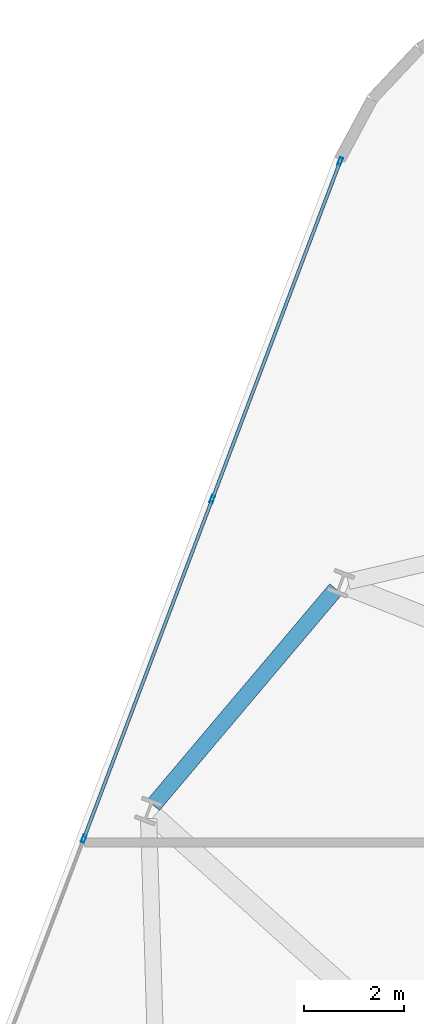
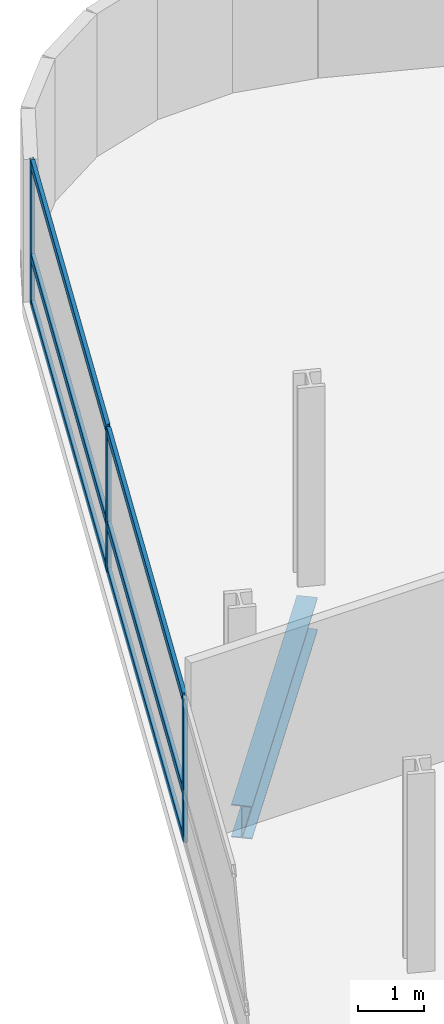
# One storey, part 8 of 25: 9 members, 1 beam, 1 element without a shape of its own.
"""IFC4 building model written with IfcOpenShell, lengths in metres."""

from ifc_helpers import new_model, si_unit, direction, frame, origin, origin_2d, place, context, subcontext, project, spatial, hollow_rectangle, i_section, extrude, material, layer, layer_set, material_profile, profile_set, type_object, element, aggregate, save


model = new_model("IFC4")

# Units and contexts
model_context = context("Model", 3, precision=1e-05, world=origin(), true_north=direction((0.0, 1.0)))
body_context = subcontext(model_context, "Body", "Model", "MODEL_VIEW")
ifc_project = project(units=[si_unit("LENGTHUNIT", "METRE"), si_unit("AREAUNIT", "SQUARE_METRE"), si_unit("VOLUMEUNIT", "CUBIC_METRE"), si_unit("PLANEANGLEUNIT", "RADIAN"), si_unit("MASSUNIT", "GRAM", prefix="KILO")], contexts=[model_context])

# Site, building, storey
site_placement = place(None, origin())
site = spatial("IfcSite", under=ifc_project, at=site_placement, CompositionType="ELEMENT")
building_placement = place(site_placement, origin())
building = spatial("IfcBuilding", under=site, at=building_placement, Name="Varnelok Gate Tower", CompositionType="ELEMENT")
storey_placement = place(building_placement, frame((0.0, 0.0, 113.199951171875)))
storey = spatial("IfcBuildingStorey", under=building, at=storey_placement, Name="L28", CompositionType="ELEMENT", Elevation=113.199951171875)

# Beam
ifc_material_1 = material(Name="Structural Steel ASTM A992 Grade 50", Category="steel")
ifc_material_profile_1 = material_profile(ifc_material_1, i_section(OverallWidth=0.323974609375, OverallDepth=0.611083984375, WebThickness=0.0126953125, FlangeThickness=0.01904296875, FilletRadius=0.01806640625, at=origin_2d()), Name="W24X104")
ifc_profile_set_1 = profile_set([ifc_material_profile_1], Name="Structural Steel ASTM A992 Grade 50")
beam_type = type_object("IfcBeamType", Name="BM-SPN-W24X104", PredefinedType="SPANDREL", material=ifc_profile_set_1)
beam_placement = place(storey_placement, frame((10.66650390625, 46.857666015625, -0.555419921875), z_axis=(-0.645376429405, -0.763864689829, 0.0), x_axis=(0.763864689829, -0.645376429405, 0.0)))
element("IfcBeam", 1, at=beam_placement, inside=storey, type_object=beam_type, Name="L28 Perimeter Spandrel Beam 14", PredefinedType="SPANDREL", context=body_context, shape_type="SweptSolid", body=[
    extrude(i_section(OverallWidth=0.323974609375, OverallDepth=0.611083984375, WebThickness=0.0126953125, FlangeThickness=0.01904296875, FilletRadius=0.01806640625, at=origin_2d()), origin(), (0.0, 0.0, 1.0), 5.64990234375),
])

# Curtain wall, members
ifc_material_2 = material(Name="Anodized Aluminum Alloy 6063-T6", Category="aluminium")
ifc_layer = layer(ifc_material_2, 0.179931640625)
ifc_layer_set = layer_set([ifc_layer], Name="Anodized Aluminum Alloy 6063-T6")
curtain_wall_type = type_object("IfcCurtainWallType", Name="CW3-HOTEL-VISION", PredefinedType="USERDEFINED", material=ifc_layer_set)
curtain_wall_placement = place(storey_placement, origin())
curtain_wall = element("IfcCurtainWall", 2, at=curtain_wall_placement, inside=storey, type_object=curtain_wall_type, Name="L28 West End Vision Curtain Wall", ObjectType="UNITISED CURTAIN WALL", PredefinedType="USERDEFINED")
ifc_material_profile_2 = material_profile(ifc_material_2, hollow_rectangle(XDim=0.06494140625, YDim=0.159912109375, WallThickness=0.00390625, at=origin_2d()), Name="ALU160X65X4")
ifc_profile_set_2 = profile_set([ifc_material_profile_2], Name="Anodized Aluminum Alloy 6063-T6")
member_type_1 = type_object("IfcMemberType", Name="CW-MULL-160", PredefinedType="MULLION", material=ifc_profile_set_2)
member_1_placement = place(storey_placement, frame((5.63525390625, 41.8779296875, 0.0), z_axis=(0.0, 0.0, 1.0), x_axis=(-0.935221323688, 0.354063660545, 0.0)))
member_1 = element("IfcMember", 3, at=member_1_placement, type_object=member_type_1, Name="CW3 mullion 4", PredefinedType="MULLION", context=body_context, shape_type="SweptSolid", body=[
    extrude(hollow_rectangle(XDim=0.06494140625, YDim=0.159912109375, WallThickness=0.00390625, at=origin_2d()), origin(), (0.0, 0.0, 1.0), 2.66015625),
])
member_2_placement = place(storey_placement, frame((8.19873046875, 48.64892578125, 0.0), z_axis=(0.0, 0.0, 1.0), x_axis=(-0.935221323688, 0.354063660545, 0.0)))
member_2 = element("IfcMember", 4, at=member_2_placement, type_object=member_type_1, Name="CW3 mullion 5", PredefinedType="MULLION", context=body_context, shape_type="SweptSolid", body=[
    extrude(hollow_rectangle(XDim=0.06494140625, YDim=0.159912109375, WallThickness=0.00390625, at=origin_2d()), origin(), (0.0, 0.0, 1.0), 2.66015625),
])
member_3_placement = place(storey_placement, frame((10.750732421875, 55.389404296875, 0.0), z_axis=(0.0, 0.0, 1.0), x_axis=(-0.935221323688, 0.354063660545, 0.0)))
member_3 = element("IfcMember", 5, at=member_3_placement, type_object=member_type_1, Name="CW3 mullion 6", PredefinedType="MULLION", context=body_context, shape_type="SweptSolid", body=[
    extrude(hollow_rectangle(XDim=0.06494140625, YDim=0.159912109375, WallThickness=0.00390625, at=origin_2d()), origin(), (0.0, 0.0, 1.0), 2.66015625),
])
ifc_material_profile_3 = material_profile(ifc_material_2, hollow_rectangle(XDim=0.06494140625, YDim=0.159912109375, WallThickness=0.00390625, at=origin_2d()), Name="ALU160X65X4")
ifc_profile_set_3 = profile_set([ifc_material_profile_3], Name="Anodized Aluminum Alloy 6063-T6")
member_type_2 = type_object("IfcMemberType", Name="CW-TRAN-160", PredefinedType="USERDEFINED", material=ifc_profile_set_3)
member_4_placement = place(storey_placement, frame((5.64697265625, 41.908203125, 0.032470703125), z_axis=(0.354048963644, 0.935226887628, 0.0), x_axis=(-0.935226887628, 0.354048963644, 0.0)))
member_4 = element("IfcMember", 6, at=member_4_placement, type_object=member_type_2, Name="CW3 transom 4.1", ObjectType="TRANSOM", PredefinedType="USERDEFINED", context=body_context, shape_type="SweptSolid", body=[
    extrude(hollow_rectangle(XDim=0.06494140625, YDim=0.159912109375, WallThickness=0.00390625, at=origin_2d()), origin(), (0.0, 0.0, 1.0), 7.175048828125),
])
member_5_placement = place(storey_placement, frame((5.64697265625, 41.908203125, 0.900146484375), z_axis=(0.354048963644, 0.935226887628, 0.0), x_axis=(-0.935226887628, 0.354048963644, 0.0)))
member_5 = element("IfcMember", 7, at=member_5_placement, type_object=member_type_2, Name="CW3 transom 4.2", ObjectType="TRANSOM", PredefinedType="USERDEFINED", context=body_context, shape_type="SweptSolid", body=[
    extrude(hollow_rectangle(XDim=0.06494140625, YDim=0.159912109375, WallThickness=0.00390625, at=origin_2d()), origin(), (0.0, 0.0, 1.0), 7.175048828125),
])
member_6_placement = place(storey_placement, frame((5.64697265625, 41.908203125, 2.62744140625), z_axis=(0.354048963644, 0.935226887628, 0.0), x_axis=(-0.935226887628, 0.354048963644, 0.0)))
member_6 = element("IfcMember", 8, at=member_6_placement, type_object=member_type_2, Name="CW3 transom 4.3", ObjectType="TRANSOM", PredefinedType="USERDEFINED", context=body_context, shape_type="SweptSolid", body=[
    extrude(hollow_rectangle(XDim=0.06494140625, YDim=0.159912109375, WallThickness=0.00390625, at=origin_2d()), origin(), (0.0, 0.0, 1.0), 7.175048828125),
])
member_7_placement = place(storey_placement, frame((8.210205078125, 48.67919921875, 0.032470703125), z_axis=(0.354077146385, 0.935216217999, 0.0), x_axis=(-0.935216217999, 0.354077146385, 0.0)))
member_7 = element("IfcMember", 9, at=member_7_placement, type_object=member_type_2, Name="CW3 transom 5.1", ObjectType="TRANSOM", PredefinedType="USERDEFINED", context=body_context, shape_type="SweptSolid", body=[
    extrude(hollow_rectangle(XDim=0.06494140625, YDim=0.159912109375, WallThickness=0.00390625, at=origin_2d()), origin(), (0.0, 0.0, 1.0), 7.142578125),
])
member_8_placement = place(storey_placement, frame((8.210205078125, 48.67919921875, 0.900146484375), z_axis=(0.354077146385, 0.935216217999, 0.0), x_axis=(-0.935216217999, 0.354077146385, 0.0)))
member_8 = element("IfcMember", 10, at=member_8_placement, type_object=member_type_2, Name="CW3 transom 5.2", ObjectType="TRANSOM", PredefinedType="USERDEFINED", context=body_context, shape_type="SweptSolid", body=[
    extrude(hollow_rectangle(XDim=0.06494140625, YDim=0.159912109375, WallThickness=0.00390625, at=origin_2d()), origin(), (0.0, 0.0, 1.0), 7.142578125),
])
member_9_placement = place(storey_placement, frame((8.210205078125, 48.67919921875, 2.62744140625), z_axis=(0.354077146385, 0.935216217999, 0.0), x_axis=(-0.935216217999, 0.354077146385, 0.0)))
member_9 = element("IfcMember", 11, at=member_9_placement, type_object=member_type_2, Name="CW3 transom 5.3", ObjectType="TRANSOM", PredefinedType="USERDEFINED", context=body_context, shape_type="SweptSolid", body=[
    extrude(hollow_rectangle(XDim=0.06494140625, YDim=0.159912109375, WallThickness=0.00390625, at=origin_2d()), origin(), (0.0, 0.0, 1.0), 7.142578125),
])
aggregate(curtain_wall, [member_1, member_2, member_3, member_4, member_5, member_6, member_7, member_8, member_9])

save(model, "model.ifc")
